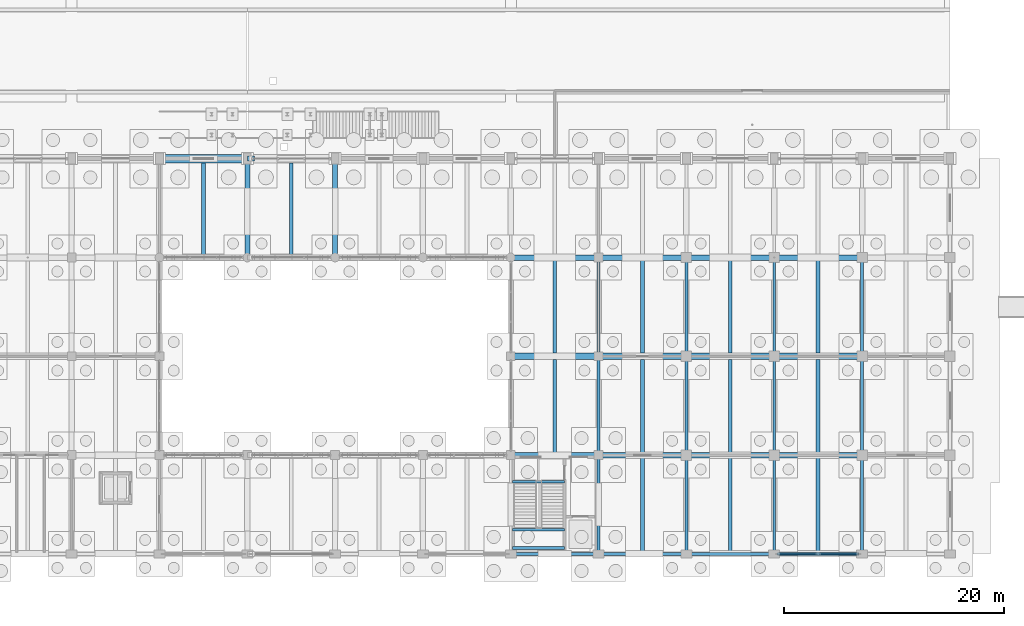
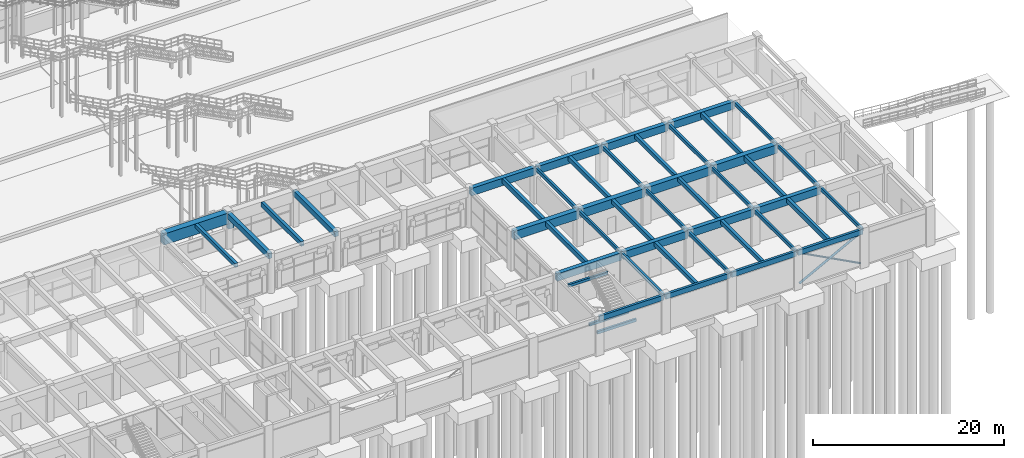
# One storey, part 78 of 147: 48 beams, 3 members.
"""IFC4 building model written with IfcOpenShell, lengths in metres."""

import ifcopenshell
import ifcopenshell.guid

model = None  # the IFC model being written
_history = None  # IfcOwnerHistory: only IFC2X3 demands one
_inside = {}  # id of a spatial element -> (the spatial element, [elements in it])
_under = {}  # id of a project, library or spatial element -> (it, [spatial elements below it])
_declared = {}  # id of a project -> (the project, [libraries it declares])
_typed = {}  # id of a type object -> (the type object, [elements of that type])
_made_of = {}  # id of a material, layer set ... -> (it, [elements and type objects made of it])


def new_model(schema):
    """Start an empty IFC model of exactly this schema.

    Asked for "IFC4X3", IfcOpenShell would pick the latest addendum, in which some entities
    have other attributes; the version numbers below select the first issue.
    IFC2X3 requires an IfcOwnerHistory on every rooted entity: one is made here for all.
    """
    global model, _history
    if schema == "IFC4X3":
        model = ifcopenshell.file(schema_version=(4, 3, 0, 0))
    else:
        model = ifcopenshell.file(schema=schema)
    _inside.clear()
    _under.clear()
    _declared.clear()
    _typed.clear()
    _made_of.clear()
    _history = None
    if model.schema == "IFC2X3":
        org = make("IfcOrganization", Name="unknown")
        user = make(
            "IfcPersonAndOrganization",
            ThePerson=make("IfcPerson", FamilyName="unknown"),
            TheOrganization=org,
        )
        app = make(
            "IfcApplication",
            ApplicationDeveloper=org,
            Version="unknown",
            ApplicationFullName="unknown",
            ApplicationIdentifier="unknown",
        )
        _history = make(
            "IfcOwnerHistory",
            OwningUser=user,
            OwningApplication=app,
            ChangeAction="ADDED",
            CreationDate=0,
        )
    return model


def make(cls, **values):
    """One entity of the class cls with the attributes given. An attribute that is None is left unset."""
    return model.create_entity(
        cls, **{name: value for name, value in values.items() if value is not None}
    )


def rooted(cls, **values):
    """An entity with a GlobalId (a new one), such as an element, a storey or a relation."""
    return make(cls, GlobalId=ifcopenshell.guid.new(), OwnerHistory=_history, **values)


def si_unit(unit_type, name, prefix=None):
    """IfcSIUnit, for example si_unit("LENGTHUNIT", "METRE", prefix="MILLI")."""
    return make("IfcSIUnit", UnitType=unit_type, Prefix=prefix, Name=name)


def assignment(units):
    """IfcUnitAssignment: the units of a project."""
    return None if units is None else make("IfcUnitAssignment", Units=units)


def point(xyz):
    """IfcCartesianPoint."""
    return None if xyz is None else make("IfcCartesianPoint", Coordinates=xyz)


def direction(xyz):
    """IfcDirection."""
    return None if xyz is None else make("IfcDirection", DirectionRatios=xyz)


def frame(location, z_axis=None, x_axis=None):
    """IfcAxis2Placement3D, a coordinate frame: its origin and axes. An axis left out is left unset."""
    return make(
        "IfcAxis2Placement3D",
        Location=point(location),
        Axis=direction(z_axis),
        RefDirection=direction(x_axis),
    )


def frame_2d(location, x_axis=None):
    """IfcAxis2Placement2D, a coordinate frame in the plane: its origin and x axis."""
    return make(
        "IfcAxis2Placement2D", Location=point(location), RefDirection=direction(x_axis)
    )


def origin():
    """The frame at (0, 0, 0) with its axes left unset."""
    return frame((0.0, 0.0, 0.0))


def origin_2d():
    """The frame at (0, 0) in the plane with its x axis left unset."""
    return frame_2d((0.0, 0.0))


def place(relative_to, where):
    """IfcLocalPlacement: puts the frame where relative to a parent placement (None: the world)."""
    return make(
        "IfcLocalPlacement", PlacementRelTo=relative_to, RelativePlacement=where
    )


def context(
    kind, dimensions, precision=None, world=None, true_north=None, identifier=None
):
    """IfcGeometricRepresentationContext, for example the 3D "Model" context."""
    return make(
        "IfcGeometricRepresentationContext",
        ContextIdentifier=identifier,
        ContextType=kind,
        CoordinateSpaceDimension=dimensions,
        Precision=precision,
        WorldCoordinateSystem=world,
        TrueNorth=true_north,
    )


def subcontext(parent, identifier, kind, view, scale=None):
    """IfcGeometricRepresentationSubContext, for example "Body" below "Model"."""
    return make(
        "IfcGeometricRepresentationSubContext",
        ContextIdentifier=identifier,
        ContextType=kind,
        ParentContext=parent,
        TargetScale=scale,
        TargetView=view,
    )


def project(units=None, contexts=None):
    """IfcProject with its units and contexts."""
    return rooted(
        "IfcProject",
        Name="project",
        RepresentationContexts=contexts,
        UnitsInContext=assignment(units),
    )


def spatial(cls, under=None, at=None, **own):
    """A site, building, storey or space (cls), placed at a placement, below another one or the project."""
    s = rooted(cls, ObjectPlacement=at, **own)
    if under is not None:
        _under.setdefault(under.id(), (under, []))[1].append(s)
    return s


def profile(cls, at=None, kind="AREA", **sizes):
    """A parametric profile (cls). Its sizes go by their IFC names, for example OverallWidth=200.0."""
    return make(cls, ProfileType=kind, Position=at, **sizes)


def rectangle(**sizes):
    """IfcRectangleProfileDef."""
    return profile("IfcRectangleProfileDef", **sizes)


def hollow_circle(**sizes):
    """IfcCircleHollowProfileDef."""
    return profile("IfcCircleHollowProfileDef", **sizes)


def extrude(swept, where, along, depth):
    """IfcExtrudedAreaSolid: the profile swept, set in the frame where, extruded along a direction by depth."""
    return make(
        "IfcExtrudedAreaSolid",
        SweptArea=swept,
        Position=where,
        ExtrudedDirection=direction(along),
        Depth=depth,
    )


def shape(context_of_items, identifier, shape_type, items):
    """IfcShapeRepresentation: the items that make up one representation, for example the "Body"."""
    return make(
        "IfcShapeRepresentation",
        ContextOfItems=context_of_items,
        RepresentationIdentifier=identifier,
        RepresentationType=shape_type,
        Items=items,
    )


def material(Name=None, Category=None):
    """IfcMaterial."""
    return make("IfcMaterial", Name=Name, Category=Category)


def material_profile(
    of_material, cross_section, Name=None, Category=None, Priority=None
):
    """IfcMaterialProfile: a cross section and its material."""
    return make(
        "IfcMaterialProfile",
        Name=Name,
        Material=of_material,
        Profile=cross_section,
        Priority=Priority,
        Category=Category,
    )


def profile_set(profiles, Name=None, composite=None):
    """IfcMaterialProfileSet."""
    return make(
        "IfcMaterialProfileSet",
        Name=Name,
        MaterialProfiles=profiles,
        CompositeProfile=composite,
    )


def made_of(thing, what):
    """Note that an element or type object is made of a material, layer set ...; save() writes the relation."""
    if what is not None:
        _made_of.setdefault(what.id(), (what, []))[1].append(thing)
    return thing


def type_object(cls, material=None, **own):
    """A type object (cls), such as IfcWallType, which elements share."""
    return made_of(rooted(cls, **own), material)


def element(
    cls,
    number,
    at=None,
    inside=None,
    cuts=None,
    type_object=None,
    material=None,
    context=None,
    identifier="Body",
    shape_type=None,
    held_by="IfcProductDefinitionShape",
    body=None,
    shapes=None,
    **own,
):
    """One element of the class cls, such as IfcWall. Its Tag is "e" and its number.

    at: its placement. inside: the storey or other place that contains it. cuts: it is an
    opening in that element (IfcRelVoidsElement). A single representation is given by context,
    identifier, shape_type and body (its items); several are given by shapes. held_by: the class
    of the entity that holds the representations. save() writes the other relations.
    """
    e = rooted(cls, Tag="e%d" % number, ObjectPlacement=at, **own)
    if body is not None:
        shapes = [shape(context, identifier, shape_type, body)]
    if shapes is not None:
        e.Representation = make(held_by, Representations=shapes)
    if inside is not None:
        _inside.setdefault(inside.id(), (inside, []))[1].append(e)
    if cuts is not None:
        rooted(
            "IfcRelVoidsElement", RelatingBuildingElement=cuts, RelatedOpeningElement=e
        )
    if type_object is not None:
        _typed.setdefault(type_object.id(), (type_object, []))[1].append(e)
    return made_of(e, material)


def aggregate(whole, parts):
    """IfcRelAggregates: a whole, such as a stair, and the parts it consists of."""
    return rooted("IfcRelAggregates", RelatingObject=whole, RelatedObjects=parts)


def save(model, path):
    """Write the relations noted so far, then the file.

    IfcRelAggregates (storeys below a building ...), IfcRelContainedInSpatialStructure (elements
    in a storey), IfcRelDefinesByType, IfcRelAssociatesMaterial and IfcRelDeclares: one each for
    every whole, place, type object, material and project.
    """
    for whole, parts in _under.values():
        aggregate(whole, parts)
    for where, things in _inside.values():
        rooted(
            "IfcRelContainedInSpatialStructure",
            RelatedElements=things,
            RelatingStructure=where,
        )
    for kind, things in _typed.values():
        rooted("IfcRelDefinesByType", RelatedObjects=things, RelatingType=kind)
    for what, things in _made_of.values():
        rooted("IfcRelAssociatesMaterial", RelatedObjects=things, RelatingMaterial=what)
    for by, libraries in _declared.values():
        rooted("IfcRelDeclares", RelatingContext=by, RelatedDefinitions=libraries)
    model.write(path)


model = new_model("IFC4")

# Units and contexts
model_context = context("Model", 3, precision=1e-05, world=origin(), true_north=direction((0.0, 1.0)))
body_context = subcontext(model_context, "Body", "Model", "MODEL_VIEW")
ifc_project = project(units=[si_unit("LENGTHUNIT", "METRE"), si_unit("AREAUNIT", "SQUARE_METRE"), si_unit("VOLUMEUNIT", "CUBIC_METRE"), si_unit("PLANEANGLEUNIT", "RADIAN"), si_unit("MASSUNIT", "GRAM", prefix="KILO")], contexts=[model_context])

# Site, building, storey
site_placement = place(None, origin())
site = spatial("IfcSite", under=ifc_project, at=site_placement, CompositionType="ELEMENT")
building_placement = place(site_placement, origin())
building = spatial("IfcBuilding", under=site, at=building_placement, Name="Varnabhumi Central Station", CompositionType="ELEMENT")
storey_placement = place(building_placement, origin())
storey = spatial("IfcBuildingStorey", under=building, at=storey_placement, Name="L00", CompositionType="ELEMENT", Elevation=0.0)

# Beams
ifc_material_1 = material(Name="Concrete M50", Category="concrete")
ifc_material_profile_1 = material_profile(ifc_material_1, rectangle(XDim=0.75, YDim=1.39990234375, at=origin_2d()), Name="Concrete M50", Category="concrete")
ifc_profile_set_1 = profile_set([ifc_material_profile_1], Name="Concrete M50")
beam_type_1 = type_object("IfcBeamType", Name="BM-RC-1400x750", PredefinedType="BEAM", material=ifc_profile_set_1)
beam_1_placement = place(storey_placement, frame((112.10009765625, 36.0, 3.85009765625), z_axis=(1.0, 0.0, 0.0), x_axis=(0.0, 1.0, 0.0)))
element("IfcBeam", 1, at=beam_1_placement, inside=storey, type_object=beam_type_1, Name="Beam L00-E:15-16", PredefinedType="BEAM", context=body_context, shape_type="SweptSolid", body=[
    extrude(rectangle(XDim=0.75, YDim=1.39990234375, at=origin_2d()), origin(), (0.0, 0.0, 1.0), 7.7998046875),
])
ifc_material_2 = material(Name="Concrete M35", Category="concrete")
ifc_material_profile_2 = material_profile(ifc_material_2, rectangle(XDim=0.25, YDim=0.35009765625, at=origin_2d()), Name="Concrete M35", Category="concrete")
ifc_profile_set_2 = profile_set([ifc_material_profile_2], Name="Concrete M35")
beam_type_2 = type_object("IfcBeamType", Name="BM-RC-250x350", PredefinedType="LINTEL", material=ifc_profile_set_2)
for number, where, z_axis, x_axis, name in (
    (2, (144.179931640625, 0.5400390625, 2.044921875), (1.0, 0.0, 0.0), (0.0, 1.0, 0.0), "ST-S3 L00 Half Landing Support Beam 1"),
    (3, (144.179931640625, 2.205078125, 2.044921875), (1.0, 0.0, 0.0), (0.0, 1.0, 0.0), "ST-S3 L00 Half Landing Support Beam 2"),
    (4, (144.179931640625, 6.580078125, 4.375), (1.0, 0.0, 0.0), (0.0, 1.0, 0.0), "ST-S3 L00 Floor Opening Trimmer Beam"),
):
    element("IfcBeam", number, at=place(storey_placement, frame(where, z_axis=z_axis, x_axis=x_axis)), inside=storey, type_object=beam_type_2, Name=name, PredefinedType="LINTEL", context=body_context, shape_type="SweptSolid", body=[
        extrude(rectangle(XDim=0.25, YDim=0.35009765625, at=origin_2d()), origin(), (0.0, 0.0, 1.0), 4.719970703125),
    ])
ifc_material_profile_3 = material_profile(ifc_material_2, rectangle(XDim=0.25, YDim=0.449951171875, at=origin_2d()), Name="Concrete M35", Category="concrete")
ifc_profile_set_3 = profile_set([ifc_material_profile_3], Name="Concrete M35")
beam_type_3 = type_object("IfcBeamType", Name="BM-RC-250x450", PredefinedType="LINTEL", material=ifc_profile_set_3)
for number, where, z_axis, x_axis, name in (
    (5, (152.0, 0.10009765625, 4.324951171875), (0.0, 1.0, 0.0), (-1.0, 0.0, 0.0), "Beam L00-20:A-B"),
    (6, (160.0, 0.10009765625, 4.324951171875), (0.0, 1.0, 0.0), (-1.0, 0.0, 0.0), "Beam L00-21:A-B"),
    (7, (168.0, 0.10009765625, 4.324951171875), (0.0, 1.0, 0.0), (-1.0, 0.0, 0.0), "Beam L00-22:A-B"),
    (8, (176.0, 0.10009765625, 4.324951171875), (0.0, 1.0, 0.0), (-1.0, 0.0, 0.0), "Beam L00-23:A-B"),
    (9, (152.0, 9.10009765625, 4.324951171875), (0.0, 1.0, 0.0), (-1.0, 0.0, 0.0), "Beam L00-20:B-C"),
    (10, (160.0, 9.10009765625, 4.324951171875), (0.0, 1.0, 0.0), (-1.0, 0.0, 0.0), "Beam L00-21:B-C"),
    (11, (168.0, 9.10009765625, 4.324951171875), (0.0, 1.0, 0.0), (-1.0, 0.0, 0.0), "Beam L00-22:B-C"),
    (12, (176.0, 9.10009765625, 4.324951171875), (0.0, 1.0, 0.0), (-1.0, 0.0, 0.0), "Beam L00-23:B-C"),
    (13, (152.0, 18.10009765625, 4.324951171875), (0.0, 1.0, 0.0), (-1.0, 0.0, 0.0), "Beam L00-20:C-D"),
    (14, (160.0, 18.10009765625, 4.324951171875), (0.0, 1.0, 0.0), (-1.0, 0.0, 0.0), "Beam L00-21:C-D"),
    (15, (168.0, 18.10009765625, 4.324951171875), (0.0, 1.0, 0.0), (-1.0, 0.0, 0.0), "Beam L00-22:C-D"),
    (16, (176.0, 18.10009765625, 4.324951171875), (0.0, 1.0, 0.0), (-1.0, 0.0, 0.0), "Beam L00-23:C-D"),
):
    element("IfcBeam", number, at=place(storey_placement, frame(where, z_axis=z_axis, x_axis=x_axis)), inside=storey, type_object=beam_type_3, Name=name, PredefinedType="LINTEL", context=body_context, shape_type="SweptSolid", body=[
        extrude(rectangle(XDim=0.25, YDim=0.449951171875, at=origin_2d()), origin(), (0.0, 0.0, 1.0), 8.7998046875),
    ])
ifc_material_3 = material(Name="Concrete M40", Category="concrete")
ifc_material_profile_4 = material_profile(ifc_material_3, rectangle(XDim=0.300048828125, YDim=0.64990234375, at=origin_2d()), Name="Concrete M40", Category="concrete")
ifc_profile_set_4 = profile_set([ifc_material_profile_4], Name="Concrete M40")
beam_type_4 = type_object("IfcBeamType", Name="BM-RC-300x650", PredefinedType="SPANDREL", material=ifc_profile_set_4)
for number, where, z_axis, x_axis, name in (
    (17, (144.10009765625, 0.0, 4.22509765625), (1.0, 0.0, 0.0), (0.0, 1.0, 0.0), "Beam L00-A:19-20"),
    (18, (152.10009765625, 0.0, 4.22509765625), (1.0, 0.0, 0.0), (0.0, 1.0, 0.0), "Beam L00-A:20-21"),
    (19, (160.10009765625, 0.0, 4.22509765625), (1.0, 0.0, 0.0), (0.0, 1.0, 0.0), "Beam L00-A:21-22"),
    (20, (168.10009765625, 0.0, 4.22509765625), (1.0, 0.0, 0.0), (0.0, 1.0, 0.0), "Beam L00-A:22-23"),
):
    element("IfcBeam", number, at=place(storey_placement, frame(where, z_axis=z_axis, x_axis=x_axis)), inside=storey, type_object=beam_type_4, Name=name, PredefinedType="SPANDREL", context=body_context, shape_type="SweptSolid", body=[
        extrude(rectangle(XDim=0.300048828125, YDim=0.64990234375, at=origin_2d()), origin(), (0.0, 0.0, 1.0), 7.7998046875),
    ])
ifc_material_profile_5 = material_profile(ifc_material_3, rectangle(XDim=0.35009765625, YDim=0.5, at=origin_2d()), Name="Concrete M40", Category="concrete")
ifc_profile_set_5 = profile_set([ifc_material_profile_5], Name="Concrete M40")
beam_type_5 = type_object("IfcBeamType", Name="BM-RC-350x500", PredefinedType="JOIST", material=ifc_profile_set_5)
beam_2_placement = place(storey_placement, frame((164.0, 0.14990234375, 4.300048828125), z_axis=(0.0, 1.0, 0.0), x_axis=(-1.0, 0.0, 0.0)))
element("IfcBeam", 21, at=beam_2_placement, inside=storey, type_object=beam_type_5, Name="Secondary Joist L00-21/22:A-B", PredefinedType="JOIST", context=body_context, shape_type="SweptSolid", body=[
    extrude(rectangle(XDim=0.35009765625, YDim=0.5, at=origin_2d()), origin(), (0.0, 0.0, 1.0), 8.60009765625),
])
for number, where, z_axis, x_axis, name in (
    (22, (164.0, 9.25, 4.300048828125), (0.0, 1.0, 0.0), (-1.0, 0.0, 0.0), "Secondary Joist L00-21/22:B-C"),
    (23, (164.0, 18.300048828125, 4.300048828125), (0.0, 1.0, 0.0), (-1.0, 0.0, 0.0), "Secondary Joist L00-21/22:C-D"),
):
    element("IfcBeam", number, at=place(storey_placement, frame(where, z_axis=z_axis, x_axis=x_axis)), inside=storey, type_object=beam_type_5, Name=name, PredefinedType="JOIST", context=body_context, shape_type="SweptSolid", body=[
        extrude(rectangle(XDim=0.35009765625, YDim=0.5, at=origin_2d()), origin(), (0.0, 0.0, 1.0), 8.449951171875),
    ])
beam_3_placement = place(storey_placement, frame((116.0, 27.25, 4.300048828125), z_axis=(0.0, 1.0, 0.0), x_axis=(-1.0, 0.0, 0.0)))
element("IfcBeam", 24, at=beam_3_placement, inside=storey, type_object=beam_type_5, Name="Secondary Joist L00-15/16:D-E", PredefinedType="JOIST", context=body_context, shape_type="SweptSolid", body=[
    extrude(rectangle(XDim=0.35009765625, YDim=0.5, at=origin_2d()), origin(), (0.0, 0.0, 1.0), 8.375),
])
ifc_material_profile_6 = material_profile(ifc_material_3, rectangle(XDim=0.35009765625, YDim=0.550048828125, at=origin_2d()), Name="Concrete M40", Category="concrete")
ifc_profile_set_6 = profile_set([ifc_material_profile_6], Name="Concrete M40")
beam_type_6 = type_object("IfcBeamType", Name="BM-RC-350x550", PredefinedType="JOIST", material=ifc_profile_set_6)
beam_4_placement = place(storey_placement, frame((156.0, 0.14990234375, 4.27490234375), z_axis=(0.0, 1.0, 0.0), x_axis=(-1.0, 0.0, 0.0)))
element("IfcBeam", 25, at=beam_4_placement, inside=storey, type_object=beam_type_6, Name="Secondary Joist L00-20/21:A-B", PredefinedType="JOIST", context=body_context, shape_type="SweptSolid", body=[
    extrude(rectangle(XDim=0.35009765625, YDim=0.550048828125, at=origin_2d()), origin(), (0.0, 0.0, 1.0), 8.60009765625),
])
for number, where, z_axis, x_axis, name in (
    (26, (156.0, 9.25, 4.27490234375), (0.0, 1.0, 0.0), (-1.0, 0.0, 0.0), "Secondary Joist L00-20/21:B-C"),
    (27, (156.0, 18.300048828125, 4.27490234375), (0.0, 1.0, 0.0), (-1.0, 0.0, 0.0), "Secondary Joist L00-20/21:C-D"),
):
    element("IfcBeam", number, at=place(storey_placement, frame(where, z_axis=z_axis, x_axis=x_axis)), inside=storey, type_object=beam_type_6, Name=name, PredefinedType="JOIST", context=body_context, shape_type="SweptSolid", body=[
        extrude(rectangle(XDim=0.35009765625, YDim=0.550048828125, at=origin_2d()), origin(), (0.0, 0.0, 1.0), 8.449951171875),
    ])
ifc_material_profile_7 = material_profile(ifc_material_3, rectangle(XDim=0.449951171875, YDim=0.699951171875, at=origin_2d()), Name="Concrete M40", Category="concrete")
ifc_profile_set_7 = profile_set([ifc_material_profile_7], Name="Concrete M40")
beam_type_7 = type_object("IfcBeamType", Name="BM-RC-450x700", PredefinedType="BEAM", material=ifc_profile_set_7)
for number, where, z_axis, x_axis, name in (
    (28, (120.0, 27.10009765625, 4.199951171875), (0.0, 1.0, 0.0), (-1.0, 0.0, 0.0), "Beam L00-16:D-E"),
    (29, (128.0, 27.10009765625, 4.199951171875), (0.0, 1.0, 0.0), (-1.0, 0.0, 0.0), "Beam L00-17:D-E"),
):
    element("IfcBeam", number, at=place(storey_placement, frame(where, z_axis=z_axis, x_axis=x_axis)), inside=storey, type_object=beam_type_7, Name=name, PredefinedType="BEAM", context=body_context, shape_type="SweptSolid", body=[
        extrude(rectangle(XDim=0.449951171875, YDim=0.699951171875, at=origin_2d()), origin(), (0.0, 0.0, 1.0), 8.7998046875),
    ])
ifc_material_profile_8 = material_profile(ifc_material_3, rectangle(XDim=0.449951171875, YDim=0.75, at=origin_2d()), Name="Concrete M40", Category="concrete")
ifc_profile_set_8 = profile_set([ifc_material_profile_8], Name="Concrete M40")
beam_type_8 = type_object("IfcBeamType", Name="BM-RC-450x750", PredefinedType="BEAM", material=ifc_profile_set_8)
beam_5_placement = place(storey_placement, frame((120.0, 36.0, 2.695068359375), z_axis=(1.0, 0.0, 0.0), x_axis=(0.0, 1.0, 0.0)))
element("IfcBeam", 30, at=beam_5_placement, inside=storey, type_object=beam_type_8, Name="Movement Joint 650mm Corbel Seat L00-E-16", PredefinedType="BEAM", context=body_context, shape_type="SweptSolid", body=[
    extrude(rectangle(XDim=0.449951171875, YDim=0.75, at=origin_2d()), origin(), (0.0, 0.0, 1.0), 0.64990234375),
])
ifc_material_profile_9 = material_profile(ifc_material_3, rectangle(XDim=0.5, YDim=0.949951171875, at=origin_2d()), Name="Concrete M40", Category="concrete")
ifc_profile_set_9 = profile_set([ifc_material_profile_9], Name="Concrete M40")
beam_type_9 = type_object("IfcBeamType", Name="BM-RC-500x950", PredefinedType="BEAM", material=ifc_profile_set_9)
for number, where, z_axis, x_axis, name in (
    (31, (144.10009765625, 9.0, 4.074951171875), (1.0, 0.0, 0.0), (0.0, 1.0, 0.0), "Beam L00-B:19-20"),
    (32, (144.10009765625, 27.0, 4.074951171875), (1.0, 0.0, 0.0), (0.0, 1.0, 0.0), "Beam L00-D:19-20"),
    (33, (152.10009765625, 9.0, 4.074951171875), (1.0, 0.0, 0.0), (0.0, 1.0, 0.0), "Beam L00-B:20-21"),
    (34, (152.10009765625, 27.0, 4.074951171875), (1.0, 0.0, 0.0), (0.0, 1.0, 0.0), "Beam L00-D:20-21"),
    (35, (160.10009765625, 9.0, 4.074951171875), (1.0, 0.0, 0.0), (0.0, 1.0, 0.0), "Beam L00-B:21-22"),
    (36, (160.10009765625, 27.0, 4.074951171875), (1.0, 0.0, 0.0), (0.0, 1.0, 0.0), "Beam L00-D:21-22"),
    (37, (168.10009765625, 9.0, 4.074951171875), (1.0, 0.0, 0.0), (0.0, 1.0, 0.0), "Beam L00-B:22-23"),
    (38, (168.10009765625, 27.0, 4.074951171875), (1.0, 0.0, 0.0), (0.0, 1.0, 0.0), "Beam L00-D:22-23"),
):
    element("IfcBeam", number, at=place(storey_placement, frame(where, z_axis=z_axis, x_axis=x_axis)), inside=storey, type_object=beam_type_9, Name=name, PredefinedType="BEAM", context=body_context, shape_type="SweptSolid", body=[
        extrude(rectangle(XDim=0.5, YDim=0.949951171875, at=origin_2d()), origin(), (0.0, 0.0, 1.0), 7.7998046875),
    ])
ifc_material_profile_10 = material_profile(ifc_material_1, rectangle(XDim=0.60009765625, YDim=1.10009765625, at=origin_2d()), Name="Concrete M50", Category="concrete")
ifc_profile_set_10 = profile_set([ifc_material_profile_10], Name="Concrete M50")
beam_type_10 = type_object("IfcBeamType", Name="BM-RC-600x1100", PredefinedType="BEAM", material=ifc_profile_set_10)
for number, where, z_axis, x_axis, name in (
    (39, (144.10009765625, 18.0, 4.0), (1.0, 0.0, 0.0), (0.0, 1.0, 0.0), "Beam L00-C:19-20"),
    (40, (152.10009765625, 18.0, 4.0), (1.0, 0.0, 0.0), (0.0, 1.0, 0.0), "Beam L00-C:20-21"),
    (41, (160.10009765625, 18.0, 4.0), (1.0, 0.0, 0.0), (0.0, 1.0, 0.0), "Beam L00-C:21-22"),
    (42, (168.10009765625, 18.0, 4.0), (1.0, 0.0, 0.0), (0.0, 1.0, 0.0), "Beam L00-C:22-23"),
):
    element("IfcBeam", number, at=place(storey_placement, frame(where, z_axis=z_axis, x_axis=x_axis)), inside=storey, type_object=beam_type_10, Name=name, PredefinedType="BEAM", context=body_context, shape_type="SweptSolid", body=[
        extrude(rectangle(XDim=0.60009765625, YDim=1.10009765625, at=origin_2d()), origin(), (0.0, 0.0, 1.0), 7.7998046875),
    ])
ifc_material_profile_11 = material_profile(ifc_material_3, rectangle(XDim=0.35009765625, YDim=0.60009765625, at=origin_2d()), Name="Concrete M40", Category="concrete")
ifc_profile_set_11 = profile_set([ifc_material_profile_11], Name="Concrete M40")
beam_type_11 = type_object("IfcBeamType", Name="BM-RC-600x350", PredefinedType="JOIST", material=ifc_profile_set_11)
beam_6_placement = place(storey_placement, frame((172.0, 0.14990234375, 4.25), z_axis=(0.0, 1.0, 0.0), x_axis=(-1.0, 0.0, 0.0)))
element("IfcBeam", 43, at=beam_6_placement, inside=storey, type_object=beam_type_11, Name="Secondary Joist L00-22/23:A-B", PredefinedType="JOIST", context=body_context, shape_type="SweptSolid", body=[
    extrude(rectangle(XDim=0.35009765625, YDim=0.60009765625, at=origin_2d()), origin(), (0.0, 0.0, 1.0), 8.60009765625),
])
for number, where, z_axis, x_axis, name in (
    (44, (148.0, 9.25, 4.25), (0.0, 1.0, 0.0), (-1.0, 0.0, 0.0), "Secondary Joist L00-19/20:B-C"),
    (45, (172.0, 9.25, 4.25), (0.0, 1.0, 0.0), (-1.0, 0.0, 0.0), "Secondary Joist L00-22/23:B-C"),
    (46, (148.0, 18.300048828125, 4.25), (0.0, 1.0, 0.0), (-1.0, 0.0, 0.0), "Secondary Joist L00-19/20:C-D"),
    (47, (172.0, 18.300048828125, 4.25), (0.0, 1.0, 0.0), (-1.0, 0.0, 0.0), "Secondary Joist L00-22/23:C-D"),
):
    element("IfcBeam", number, at=place(storey_placement, frame(where, z_axis=z_axis, x_axis=x_axis)), inside=storey, type_object=beam_type_11, Name=name, PredefinedType="JOIST", context=body_context, shape_type="SweptSolid", body=[
        extrude(rectangle(XDim=0.35009765625, YDim=0.60009765625, at=origin_2d()), origin(), (0.0, 0.0, 1.0), 8.449951171875),
    ])
beam_7_placement = place(storey_placement, frame((124.0, 27.25, 4.25), z_axis=(0.0, 1.0, 0.0), x_axis=(-1.0, 0.0, 0.0)))
element("IfcBeam", 48, at=beam_7_placement, inside=storey, type_object=beam_type_11, Name="Secondary Joist L00-16/17:D-E", PredefinedType="JOIST", context=body_context, shape_type="SweptSolid", body=[
    extrude(rectangle(XDim=0.35009765625, YDim=0.60009765625, at=origin_2d()), origin(), (0.0, 0.0, 1.0), 8.375),
])

# Members
ifc_material_4 = material(Name="Structural steel E350", Category="steel")
ifc_material_profile_12 = material_profile(ifc_material_4, hollow_circle(Radius=0.109619140625, WallThickness=0.010009765625, at=origin_2d()), Name="Structural steel E350", Category="steel")
ifc_profile_set_12 = profile_set([ifc_material_profile_12], Name="Structural steel E350")
member_type_1 = type_object("IfcMemberType", Name="MBR-BRACE-CHS219", PredefinedType="BRACE", material=ifc_profile_set_12)
for number, where, z_axis, x_axis, name in (
    (49, (168.320068359375, 0.0, 4.10009765625), (0.883593583311, 0.0, -0.468254609729), (0.0, 1.0, 0.0), "Spine Lateral Split Brace L00-A:22-23B1"),
    (50, (172.141357421875, 0.0, 2.0751953125), (0.883593583311, 0.0, -0.468254609729), (0.0, 1.0, 0.0), "Spine Lateral Split Brace L00-A:22-23B2"),
):
    element("IfcMember", number, at=place(storey_placement, frame(where, z_axis=z_axis, x_axis=x_axis)), inside=storey, type_object=member_type_1, Name=name, PredefinedType="BRACE", context=body_context, shape_type="SweptSolid", body=[
        extrude(hollow_circle(Radius=0.109619140625, WallThickness=0.010009765625, at=origin_2d()), origin(), (0.0, 0.0, 1.0), 4.004638671875),
    ])
ifc_material_profile_13 = material_profile(ifc_material_4, hollow_circle(Radius=0.136474609375, WallThickness=0.011962890625, at=origin_2d()), Name="Structural steel E350", Category="steel")
ifc_profile_set_13 = profile_set([ifc_material_profile_13], Name="Structural steel E350")
member_type_2 = type_object("IfcMemberType", Name="MBR-BRACE-CHS273", PredefinedType="BRACE", material=ifc_profile_set_13)
member_placement = place(storey_placement, frame((168.320068359375, 0.0, 0.199951171875), z_axis=(0.88360176282, 0.0, 0.468239174718), x_axis=(0.0, 1.0, 0.0)))
element("IfcMember", 51, at=member_placement, inside=storey, type_object=member_type_2, Name="Spine Lateral Continuous Brace L00-A:22-23A", PredefinedType="BRACE", context=body_context, shape_type="SweptSolid", body=[
    extrude(hollow_circle(Radius=0.136474609375, WallThickness=0.011962890625, at=origin_2d()), origin(), (0.0, 0.0, 1.0), 8.329345703125),
])

save(model, "model.ifc")
